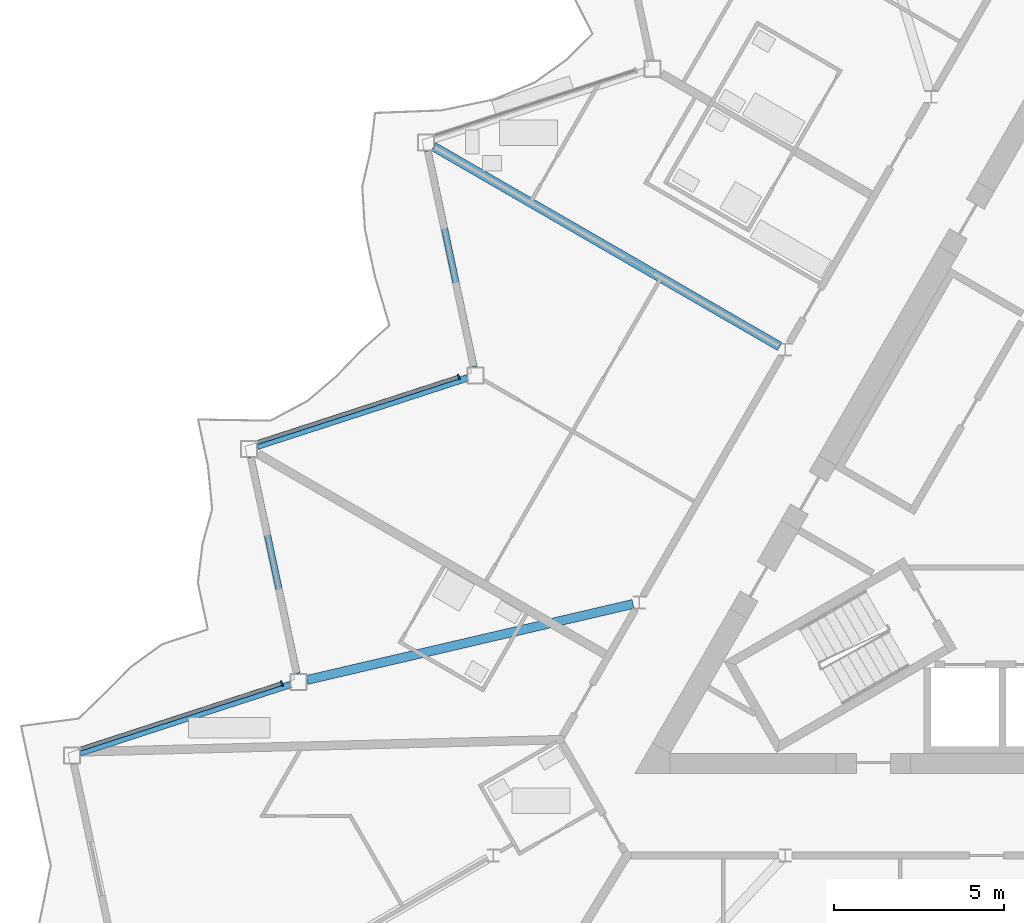
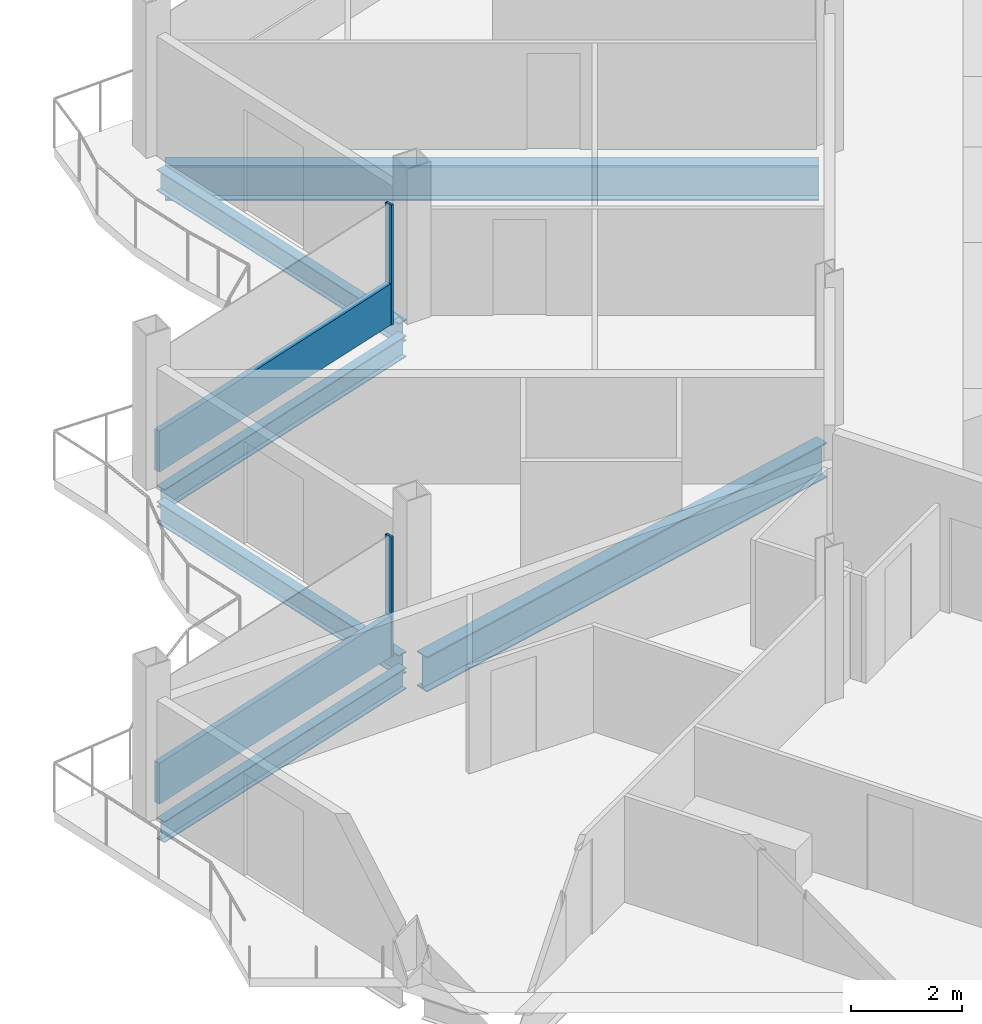
# One storey, part 6 of 26: 6 beams, 4 members, 2 elements without a shape of their own.
"""IFC4 building model written with IfcOpenShell, lengths in metres."""

from ifc_helpers import new_model, si_unit, direction, frame, origin, origin_2d, place, context, subcontext, project, spatial, rectangle, i_section, extrude, material, layer, layer_set, material_profile, profile_set, type_object, element, aggregate, save


model = new_model("IFC4")

# Units and contexts
model_context = context("Model", 3, precision=1e-05, world=origin(), true_north=direction((0.0, 1.0)))
body_context = subcontext(model_context, "Body", "Model", "MODEL_VIEW")
ifc_project = project(units=[si_unit("LENGTHUNIT", "METRE"), si_unit("AREAUNIT", "SQUARE_METRE"), si_unit("VOLUMEUNIT", "CUBIC_METRE"), si_unit("PLANEANGLEUNIT", "RADIAN"), si_unit("MASSUNIT", "GRAM", prefix="KILO")], contexts=[model_context])

# Site, building, storey
site_placement = place(None, origin())
site = spatial("IfcSite", under=ifc_project, at=site_placement, CompositionType="ELEMENT")
building_placement = place(site_placement, origin())
building = spatial("IfcBuilding", under=site, at=building_placement, Name="Cormorant Prow Tower", CompositionType="ELEMENT")
storey_placement = place(building_placement, frame((0.0, 0.0, 401.800048828125)))
storey = spatial("IfcBuildingStorey", under=building, at=storey_placement, Name="L92", CompositionType="ELEMENT", Elevation=401.800048828125)

# Beams
ifc_material_1 = material(Name="Structural steel ASTM A992 Gr 50", Category="steel")
ifc_material_profile_1 = material_profile(ifc_material_1, i_section(OverallWidth=0.267822265625, OverallDepth=0.77001953125, WebThickness=0.015625, FlangeThickness=0.025390625, at=origin_2d()), Name="W30x132")
ifc_profile_set_1 = profile_set([ifc_material_profile_1], Name="Structural steel ASTM A992 Gr 50")
beam_type_1 = type_object("IfcBeamType", Name="Radial floor beam W30x132", PredefinedType="BEAM", material=ifc_profile_set_1)
beam_1_placement = place(storey_placement, frame((-8.740478515625, 5.04638671875, -0.68505859375), z_axis=(-0.866026702285, 0.499997750924, 0.0), x_axis=(-0.499997750924, -0.866026702285, 0.0)))
element("IfcBeam", 1, at=beam_1_placement, inside=storey, type_object=beam_type_1, Name="Radial floor beam FB3 3 L92", PredefinedType="BEAM", context=body_context, shape_type="SweptSolid", body=[
    extrude(i_section(OverallWidth=0.267822265625, OverallDepth=0.77001953125, WebThickness=0.015625, FlangeThickness=0.025390625, at=origin_2d()), origin(), (0.0, 0.0, 1.0), 11.7451171875),
])
beam_2_placement = place(storey_placement, frame((-13.0498046875, -2.518798828125, -0.68505859375), z_axis=(-0.973926084128, -0.226865560752, 0.0), x_axis=(0.226865560752, -0.973926084128, 0.0)))
element("IfcBeam", 2, at=beam_2_placement, inside=storey, type_object=beam_type_1, Name="Radial floor beam FB3 4 L92", PredefinedType="BEAM", context=body_context, shape_type="SweptSolid", body=[
    extrude(i_section(OverallWidth=0.267822265625, OverallDepth=0.77001953125, WebThickness=0.015625, FlangeThickness=0.025390625, at=origin_2d()), origin(), (0.0, 0.0, 1.0), 9.837158203125),
])

# Curtain wall, member
ifc_material_2 = material(Name="Aluminium 6063-T6", Category="aluminium")
ifc_layer = layer(ifc_material_2, 0.159912109375)
ifc_layer_set = layer_set([ifc_layer], Name="Aluminium 6063-T6")
curtain_wall_type = type_object("IfcCurtainWallType", Name="Residential unitised curtain wall 160", PredefinedType="NOTDEFINED", material=ifc_layer_set)
curtain_wall_1_placement = place(storey_placement, origin())
curtain_wall_1 = element("IfcCurtainWall", 3, at=curtain_wall_1_placement, inside=storey, type_object=curtain_wall_type, Name="Residential curtain wall WNW06", PredefinedType="NOTDEFINED")
ifc_material_3 = material(Name="Aluminium 6063-T6", Category="aluminium")
ifc_material_profile_2 = material_profile(ifc_material_3, rectangle(XDim=0.159912109375, YDim=0.050048828125, at=origin_2d()), Name="Residential mullion 50x160")
ifc_profile_set_2 = profile_set([ifc_material_profile_2], Name="Aluminium 6063-T6")
member_type_1 = type_object("IfcMemberType", Name="Residential mullion 50x160", PredefinedType="MULLION", material=ifc_profile_set_2)
member_1_placement = place(storey_placement, frame((-18.169677734375, 4.150390625, 0.0), z_axis=(0.0, 0.0, 1.0), x_axis=(0.309017066365, -0.951056492904, 0.0)))
member_1 = element("IfcMember", 4, at=member_1_placement, type_object=member_type_1, Name="Residential mullion WNW06", PredefinedType="MULLION", context=body_context, shape_type="SweptSolid", body=[
    extrude(rectangle(XDim=0.159912109375, YDim=0.050048828125, at=origin_2d()), origin(), (0.0, 0.0, 1.0), 2.6337890625),
])

curtain_wall_2_placement = place(storey_placement, origin())
curtain_wall_2 = element("IfcCurtainWall", 5, at=curtain_wall_2_placement, inside=storey, type_object=curtain_wall_type, Name="Residential curtain wall WNW08", PredefinedType="NOTDEFINED")
member_2_placement = place(storey_placement, frame((-23.36962890625, -4.8564453125, 0.0), z_axis=(0.0, 0.0, 1.0), x_axis=(0.309017066365, -0.951056492904, 0.0)))
member_2 = element("IfcMember", 6, at=member_2_placement, type_object=member_type_1, Name="Residential mullion WNW08", PredefinedType="MULLION", context=body_context, shape_type="SweptSolid", body=[
    extrude(rectangle(XDim=0.159912109375, YDim=0.050048828125, at=origin_2d()), origin(), (0.0, 0.0, 1.0), 2.6337890625),
])

# Member
ifc_material_4 = material(Name="Terracotta", Category="masonry")
ifc_material_profile_3 = material_profile(ifc_material_4, rectangle(XDim=0.1201171875, YDim=0.89990234375, at=origin_2d()), Name="Residential terracotta spandrel rail 120x900")
ifc_profile_set_3 = profile_set([ifc_material_profile_3], Name="Terracotta")
member_type_2 = type_object("IfcMemberType", Name="Residential terracotta spandrel rail 120x900", PredefinedType="USERDEFINED", material=ifc_profile_set_3)
member_3_placement = place(storey_placement, frame((-18.193359375, 4.142578125, 0.449951171875), z_axis=(-0.951056004715, -0.309018568854, 0.0), x_axis=(0.309018568854, -0.951056004715, 0.0)))
member_3 = element("IfcMember", 7, at=member_3_placement, type_object=member_type_2, Name="Residential spandrel rail WNW06", ObjectType="TRANSOM", PredefinedType="USERDEFINED", context=body_context, shape_type="SweptSolid", body=[
    extrude(rectangle(XDim=0.1201171875, YDim=0.89990234375, at=origin_2d()), origin(), (0.0, 0.0, 1.0), 6.21533203125),
])

aggregate(curtain_wall_1, [member_1, member_3])

member_4_placement = place(storey_placement, frame((-23.393310546875, -4.864013671875, 0.449951171875), z_axis=(-0.951056004715, -0.309018568854, 0.0), x_axis=(0.309018568854, -0.951056004715, 0.0)))
member_4 = element("IfcMember", 8, at=member_4_placement, type_object=member_type_2, Name="Residential spandrel rail WNW08", ObjectType="TRANSOM", PredefinedType="USERDEFINED", context=body_context, shape_type="SweptSolid", body=[
    extrude(rectangle(XDim=0.1201171875, YDim=0.89990234375, at=origin_2d()), origin(), (0.0, 0.0, 1.0), 6.21533203125),
])

aggregate(curtain_wall_2, [member_2, member_4])

# Beams
ifc_material_5 = material(Name="Structural steel ASTM A992 Gr 50", Category="steel")
ifc_material_profile_4 = material_profile(ifc_material_5, i_section(OverallWidth=0.19287109375, OverallDepth=0.466064453125, WebThickness=0.011474609375, FlangeThickness=0.01904296875, at=origin_2d()), Name="W18x65")
ifc_profile_set_4 = profile_set([ifc_material_profile_4], Name="Structural steel ASTM A992 Gr 50")
beam_type_2 = type_object("IfcBeamType", Name="Spandrel beam W18x65", PredefinedType="SPANDREL", material=ifc_profile_set_4)
for number, where, z_axis, x_axis, name in (
    (9, (-19.07666015625, 10.79931640625, -0.533203125), (0.207909538847, -0.978148058147, 0.0), (0.978148058147, 0.207909538847, 0.0), "Spandrel beam SB4 WNW05-WNW06 L92"),
    (10, (-17.91162109375, 4.122314453125, -0.533203125), (-0.951053396625, -0.309026595569, 0.0), (0.309026595569, -0.951053396625, 0.0), "Spandrel beam SB4 WNW06-WNW07 L92"),
    (11, (-24.276611328125, 1.792724609375, -0.533203125), (0.207909538847, -0.978148058147, 0.0), (0.978148058147, 0.207909538847, 0.0), "Spandrel beam SB4 WNW07-WNW08 L92"),
    (12, (-23.111572265625, -4.88427734375, -0.533203125), (-0.951053396625, -0.309026595569, 0.0), (0.309026595569, -0.951053396625, 0.0), "Spandrel beam SB4 WNW08-WNW09 L92"),
):
    element("IfcBeam", number, at=place(storey_placement, frame(where, z_axis=z_axis, x_axis=x_axis)), inside=storey, type_object=beam_type_2, Name=name, PredefinedType="SPANDREL", context=body_context, shape_type="SweptSolid", body=[
        extrude(i_section(OverallWidth=0.19287109375, OverallDepth=0.466064453125, WebThickness=0.011474609375, FlangeThickness=0.01904296875, at=origin_2d()), origin(), (0.0, 0.0, 1.0), 6.497314453125),
    ])

save(model, "model.ifc")
